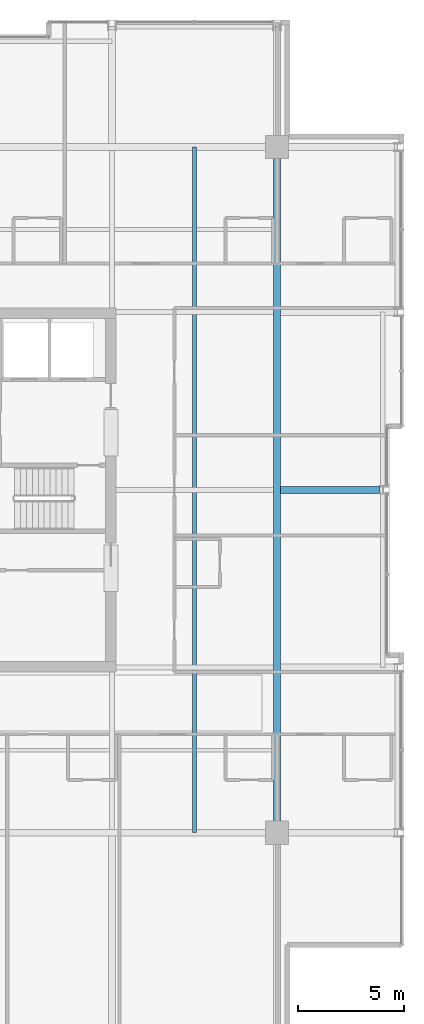
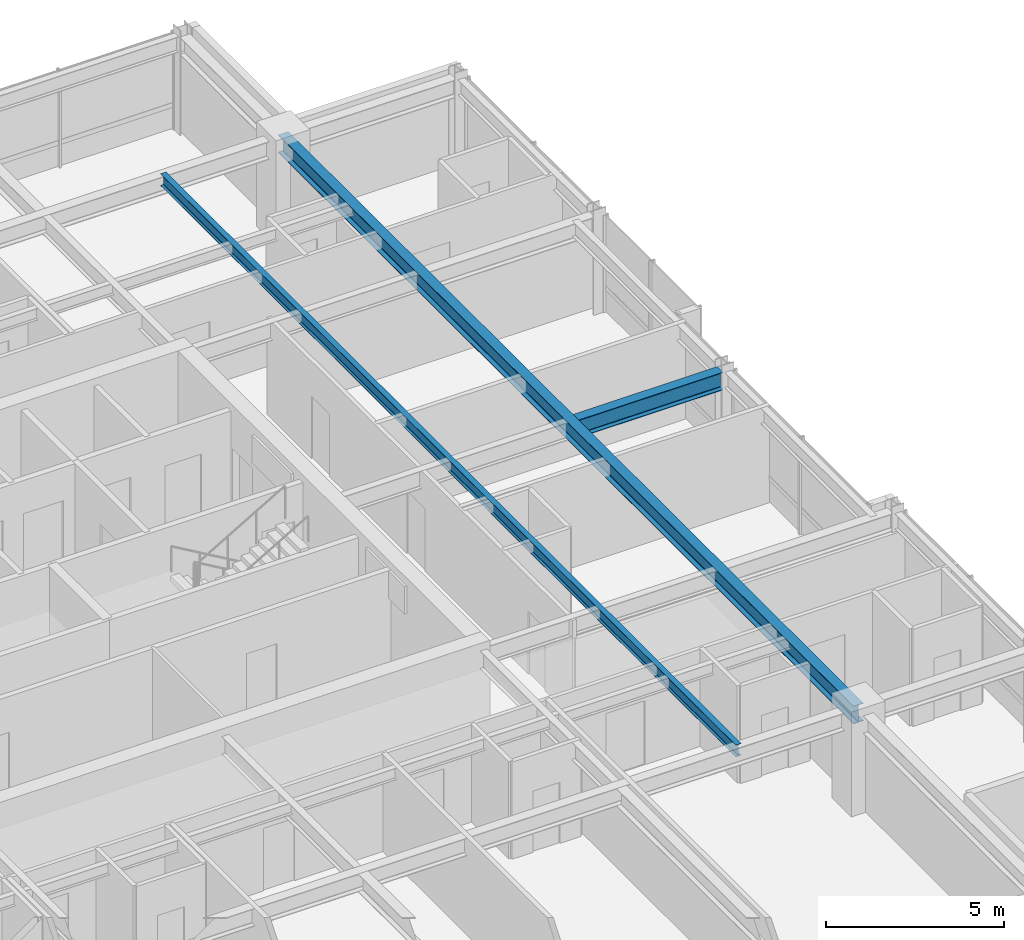
# One storey, part 15 of 32: 3 beams.
"""IFC4 building model written with IfcOpenShell, lengths in metres."""

from ifc_helpers import new_model, si_unit, direction, frame, origin, origin_2d, place, context, subcontext, project, spatial, i_section, extrude, material, material_profile, profile_set, type_object, element, save


model = new_model("IFC4")

# Units and contexts
model_context = context("Model", 3, precision=1e-05, world=origin(), true_north=direction((0.0, 1.0)))
body_context = subcontext(model_context, "Body", "Model", "MODEL_VIEW")
ifc_project = project(units=[si_unit("LENGTHUNIT", "METRE"), si_unit("AREAUNIT", "SQUARE_METRE"), si_unit("VOLUMEUNIT", "CUBIC_METRE"), si_unit("PLANEANGLEUNIT", "RADIAN"), si_unit("MASSUNIT", "GRAM", prefix="KILO")], contexts=[model_context])

# Site, building, storey
site_placement = place(None, origin())
site = spatial("IfcSite", under=ifc_project, at=site_placement, CompositionType="ELEMENT")
building_placement = place(site_placement, origin())
building = spatial("IfcBuilding", under=site, at=building_placement, Name="Drelvath Grand Hotel", CompositionType="ELEMENT")
storey_placement = place(building_placement, frame((0.0, 0.0, 233.89990234375)))
storey = spatial("IfcBuildingStorey", under=building, at=storey_placement, Name="L61", CompositionType="ELEMENT", Elevation=233.89990234375)

# Beams
ifc_material = material(Name="Steel ASTM A992 Gr 50", Category="steel")
ifc_material_profile_1 = material_profile(ifc_material, i_section(OverallWidth=0.177734375, OverallDepth=0.40673828125, WebThickness=0.0078125, FlangeThickness=0.0126953125, FilletRadius=0.014892578125, at=origin_2d()), Name="W16X40")
ifc_profile_set_1 = profile_set([ifc_material_profile_1], Name="Steel ASTM A992 Gr 50")
beam_type_1 = type_object("IfcBeamType", Name="Composite Floor Joist W16X40", PredefinedType="JOIST", material=ifc_profile_set_1)
beam_1_placement = place(storey_placement, frame((12.300048828125, 10.800048828125, 3.13671875), z_axis=(0.0, 1.0, 0.0), x_axis=(-1.0, 0.0, 0.0)))
element("IfcBeam", 1, at=beam_1_placement, inside=storey, type_object=beam_type_1, Name="L61 Wing Floor Joist J4", PredefinedType="JOIST", context=body_context, shape_type="SweptSolid", body=[
    extrude(i_section(OverallWidth=0.177734375, OverallDepth=0.40673828125, WebThickness=0.0078125, FlangeThickness=0.0126953125, FilletRadius=0.014892578125, at=origin_2d()), origin(), (0.0, 0.0, 1.0), 32.39990234375),
])
ifc_material_profile_2 = material_profile(ifc_material, i_section(OverallWidth=0.323974609375, OverallDepth=0.611083984375, WebThickness=0.0126953125, FlangeThickness=0.01904296875, FilletRadius=0.02197265625, at=origin_2d()), Name="W24X104")
ifc_profile_set_2 = profile_set([ifc_material_profile_2], Name="Steel ASTM A992 Gr 50")
beam_type_2 = type_object("IfcBeamType", Name="Primary Floor Girder W24X104", PredefinedType="BEAM", material=ifc_profile_set_2)
beam_2_placement = place(storey_placement, frame((16.199951171875, 10.800048828125, 3.034423828125), z_axis=(0.0, 1.0, 0.0), x_axis=(-1.0, 0.0, 0.0)))
element("IfcBeam", 2, at=beam_2_placement, inside=storey, type_object=beam_type_2, Name="L61 Mega Ring Girder East", PredefinedType="BEAM", context=body_context, shape_type="SweptSolid", body=[
    extrude(i_section(OverallWidth=0.323974609375, OverallDepth=0.611083984375, WebThickness=0.0126953125, FlangeThickness=0.01904296875, FilletRadius=0.02197265625, at=origin_2d()), origin(), (0.0, 0.0, 1.0), 32.39990234375),
])
beam_3_placement = place(storey_placement, frame((16.362060546875, 27.0, 3.034423828125), z_axis=(1.0, 0.0, 0.0), x_axis=(0.0, 1.0, 0.0)))
element("IfcBeam", 3, at=beam_3_placement, inside=storey, type_object=beam_type_2, Name="L61 East Wing Girder E", PredefinedType="BEAM", context=body_context, shape_type="SweptSolid", body=[
    extrude(i_section(OverallWidth=0.323974609375, OverallDepth=0.611083984375, WebThickness=0.0126953125, FlangeThickness=0.01904296875, FilletRadius=0.02197265625, at=origin_2d()), origin(), (0.0, 0.0, 1.0), 4.697998046875),
])

save(model, "model.ifc")
